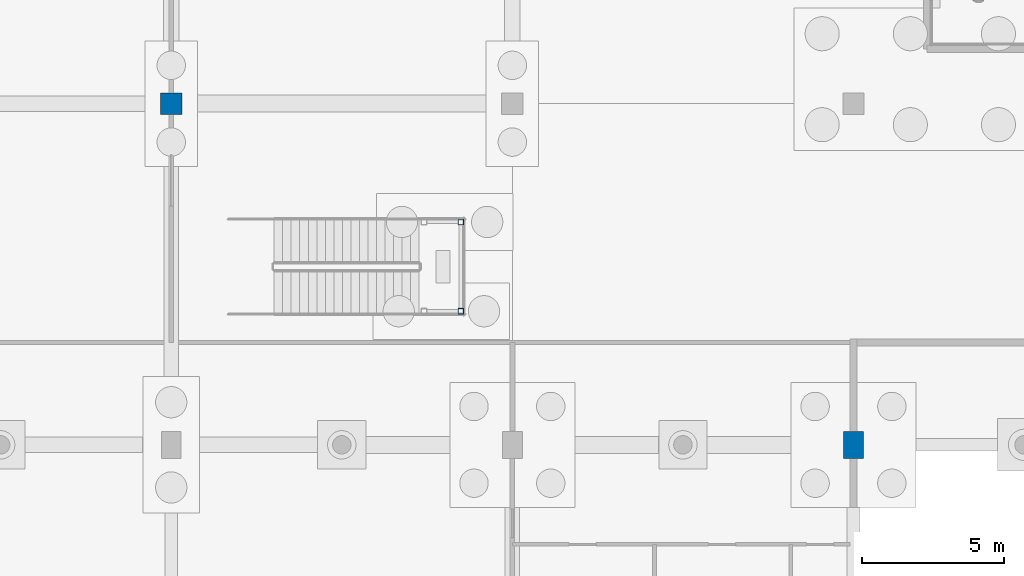
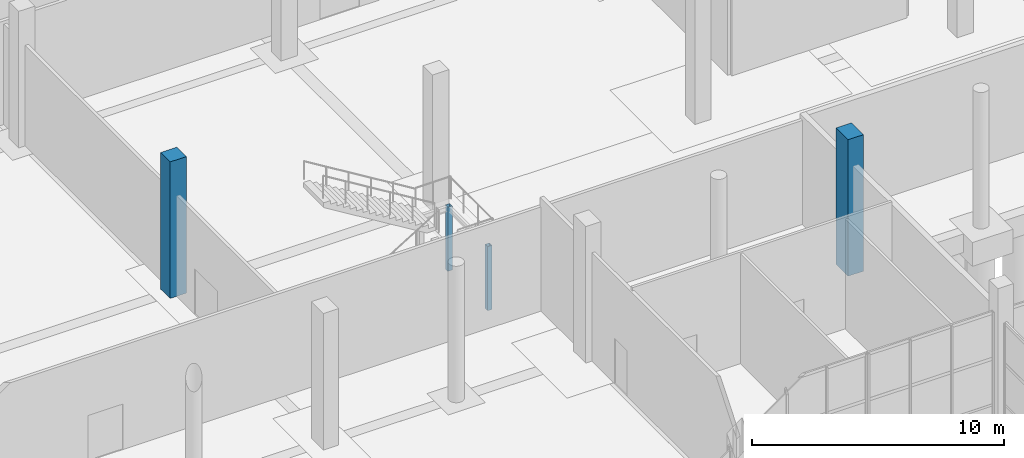
# One storey, part 38 of 117: 4 columns.
"""IFC4 building model written with IfcOpenShell, lengths in metres."""

from ifc_helpers import new_model, si_unit, direction, frame, origin, origin_2d, place, context, subcontext, project, spatial, rectangle, hollow_rectangle, extrude, material, material_profile, profile_set, type_object, element, save


model = new_model("IFC4")

# Units and contexts
model_context = context("Model", 3, precision=1e-05, world=origin(), true_north=direction((0.0, 1.0)))
body_context = subcontext(model_context, "Body", "Model", "MODEL_VIEW")
ifc_project = project(units=[si_unit("LENGTHUNIT", "METRE"), si_unit("AREAUNIT", "SQUARE_METRE"), si_unit("VOLUMEUNIT", "CUBIC_METRE"), si_unit("PLANEANGLEUNIT", "RADIAN"), si_unit("MASSUNIT", "GRAM", prefix="KILO")], contexts=[model_context])

# Site, building, storey
site_placement = place(None, origin())
site = spatial("IfcSite", under=ifc_project, at=site_placement, CompositionType="ELEMENT")
building_placement = place(site_placement, origin())
building = spatial("IfcBuilding", under=site, at=building_placement, Name="Kamomehara Wholesale Market", CompositionType="ELEMENT")
storey_placement = place(building_placement, origin())
storey = spatial("IfcBuildingStorey", under=building, at=storey_placement, Name="L00", CompositionType="ELEMENT", Elevation=0.0)

# Columns
ifc_material_1 = material(Name="Precast concrete Fc45 (C40/50)", Category="concrete")
ifc_material_profile_1 = material_profile(ifc_material_1, rectangle(XDim=0.75, YDim=0.75, at=origin_2d()), Name="PC-COL-750x750")
ifc_profile_set_1 = profile_set([ifc_material_profile_1], Name="Precast concrete Fc45 (C40/50)")
column_type_1 = type_object("IfcColumnType", Name="COL-PC750", PredefinedType="COLUMN", material=ifc_profile_set_1)
column_1_placement = place(storey_placement, frame((132.0, 120.0, 0.0), z_axis=(0.0, 0.0, 1.0), x_axis=(1.0, 0.0, 0.0)))
element("IfcColumn", 1, at=column_1_placement, inside=storey, type_object=column_type_1, Name="Column C-04 L00", PredefinedType="COLUMN", context=body_context, shape_type="SweptSolid", body=[
    extrude(rectangle(XDim=0.75, YDim=0.75, at=origin_2d()), origin(), (0.0, 0.0, 1.0), 6.60009765625),
])
ifc_material_2 = material(Name="Precast concrete Fc45 (C40/50)", Category="concrete")
ifc_material_profile_2 = material_profile(ifc_material_2, rectangle(XDim=0.699951171875, YDim=0.949951171875, at=origin_2d()), Name="PC-COL-700x950")
ifc_profile_set_2 = profile_set([ifc_material_profile_2], Name="Precast concrete Fc45 (C40/50)")
column_type_2 = type_object("IfcColumnType", Name="COL-PCR950-EXT", PredefinedType="COLUMN", material=ifc_profile_set_2)
column_2_placement = place(storey_placement, frame((156.0, 108.0, 0.0), z_axis=(0.0, 0.0, 1.0), x_axis=(1.0, 0.0, 0.0)))
element("IfcColumn", 2, at=column_2_placement, inside=storey, type_object=column_type_2, Name="Column C-11E L00", PredefinedType="COLUMN", context=body_context, shape_type="SweptSolid", body=[
    extrude(rectangle(XDim=0.699951171875, YDim=0.949951171875, at=origin_2d()), origin(), (0.0, 0.0, 1.0), 6.60009765625),
])
ifc_material_3 = material(Name="Steel SN490B", Category="steel")
ifc_material_profile_3 = material_profile(ifc_material_3, hollow_rectangle(XDim=0.199951171875, YDim=0.199951171875, WallThickness=0.009033203125, at=origin_2d()), Name="RHS-200x200x9")
ifc_profile_set_3 = profile_set([ifc_material_profile_3], Name="Steel SN490B")
column_type_3 = type_object("IfcColumnType", Name="COL-ST-RHS200", PredefinedType="COLUMN", material=ifc_profile_set_3)
for number, where, z_axis, x_axis, name in (
    (3, (142.18994140625, 112.699951171875, 0.0), (0.0, 0.0, 1.0), (1.0, 0.0, 0.0), "Column CS-12 L00"),
    (4, (142.18994140625, 115.840087890625, 0.0), (0.0, 0.0, 1.0), (1.0, 0.0, 0.0), "Column CS-12 L00"),
):
    element("IfcColumn", number, at=place(storey_placement, frame(where, z_axis=z_axis, x_axis=x_axis)), inside=storey, type_object=column_type_3, Name=name, PredefinedType="COLUMN", context=body_context, shape_type="SweptSolid", body=[
        extrude(hollow_rectangle(XDim=0.199951171875, YDim=0.199951171875, WallThickness=0.009033203125, at=origin_2d()), origin(), (0.0, 0.0, 1.0), 3.10009765625),
    ])

save(model, "model.ifc")
